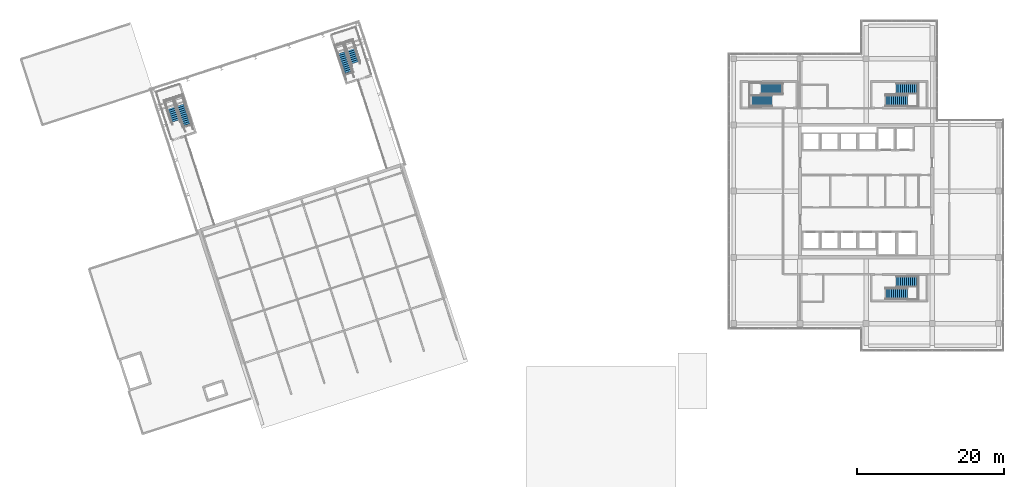
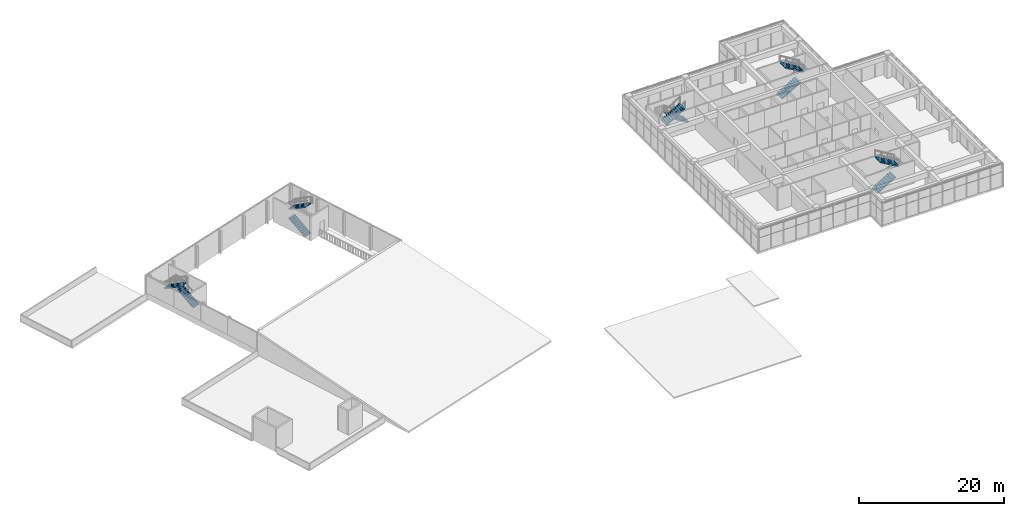
# One storey, part 52 of 55: 10 stair flights, 5 elements without a shape of their own.
"""IFC4 building model written with IfcOpenShell, lengths in metres."""

from ifc_helpers import new_model, si_unit, direction, frame, origin, place, context, subcontext, project, spatial, polyline, outline, extrude, material, type_object, element, aggregate, save


model = new_model("IFC4")

# Units and contexts
model_context = context("Model", 3, precision=1e-05, world=origin(), true_north=direction((0.0, 1.0)))
body_context = subcontext(model_context, "Body", "Model", "MODEL_VIEW")
ifc_project = project(units=[si_unit("LENGTHUNIT", "METRE"), si_unit("AREAUNIT", "SQUARE_METRE"), si_unit("VOLUMEUNIT", "CUBIC_METRE"), si_unit("PLANEANGLEUNIT", "RADIAN"), si_unit("MASSUNIT", "GRAM", prefix="KILO")], contexts=[model_context])

# Site, building, storey
site_placement = place(None, origin())
site = spatial("IfcSite", under=ifc_project, at=site_placement, CompositionType="ELEMENT")
building_placement = place(site_placement, origin())
building = spatial("IfcBuilding", under=site, at=building_placement, Name="Tuart Plaza Theatre", CompositionType="ELEMENT")
storey_placement = place(building_placement, frame((0.0, 0.0, 21.5)))
storey = spatial("IfcBuildingStorey", under=building, at=storey_placement, Name="L05", CompositionType="ELEMENT", Elevation=21.5)

# Stair, stair flights
ifc_material_1 = material(Name="Concrete N40 (40 MPa)", Category="concrete")
stair_type_1 = type_object("IfcStairType", Name="STAIR half turn 1500", PredefinedType="HALF_TURN_STAIR", material=ifc_material_1)
stair_1_placement = place(storey_placement, origin())
stair_1 = element("IfcStair", 1, at=stair_1_placement, inside=storey, type_object=stair_type_1, Name="SC-3", PredefinedType="HALF_TURN_STAIR")
ifc_material_2 = material(Name="Concrete N40 (40 MPa)", Category="concrete")
stair_flight_type_1 = type_object("IfcStairFlightType", Name="STAIR FLIGHT 166.7 275 1500", PredefinedType="STRAIGHT", material=ifc_material_2)
stair_flight_1_placement = place(storey_placement, frame((134.594970703125, 60.050048828125, 0.0), z_axis=(0.0, 0.0, 1.0), x_axis=(1.0, 0.0, 0.0)))
stair_flight_1 = element("IfcStairFlight", 2, at=stair_flight_1_placement, type_object=stair_flight_type_1, Name="SC-3 flight 1", NumberOfRisers=12, NumberOfTreads=11, PredefinedType="STRAIGHT", RiserHeight=0.166666667, TreadLength=0.275, context=body_context, shape_type="SweptSolid", body=[
    extrude(outline(polyline([(0.0, 0.0), (0.0, 0.166748046875), (0.27490234375, 0.166748046875), (0.27490234375, 0.333251953125), (0.550048828125, 0.333251953125), (0.550048828125, 0.5), (0.824951171875, 0.5), (0.824951171875, 0.666748046875), (1.10009765625, 0.666748046875), (1.10009765625, 0.833251953125), (1.375, 0.833251953125), (1.375, 1.0), (1.64990234375, 1.0), (1.64990234375, 1.166748046875), (1.925048828125, 1.166748046875), (1.925048828125, 1.333251953125), (2.199951171875, 1.333251953125), (2.199951171875, 1.5), (2.47509765625, 1.5), (2.47509765625, 1.666748046875), (2.75, 1.666748046875), (2.75, 1.833251953125), (3.02490234375, 1.833251953125), (3.02490234375, 2.0), (3.02490234375, 1.657958984375), (0.289306640625, 0.0), (0.0, 0.0)])), frame((0.0, 0.75, 0.0), z_axis=(0.0, -1.0, 0.0), x_axis=(1.0, 0.0, 0.0)), (0.0, 0.0, 1.0), 1.5),
])
stair_flight_2_placement = place(storey_placement, frame((139.1201171875, 61.699951171875, 2.0), z_axis=(0.0, 0.0, 1.0), x_axis=(-1.0, 0.0, 0.0)))
stair_flight_2 = element("IfcStairFlight", 3, at=stair_flight_2_placement, type_object=stair_flight_type_1, Name="SC-3 flight 2", NumberOfRisers=12, NumberOfTreads=11, PredefinedType="STRAIGHT", RiserHeight=0.166666667, TreadLength=0.275, context=body_context, shape_type="SweptSolid", body=[
    extrude(outline(polyline([(0.0, 0.0), (0.0, 0.166748046875), (0.27490234375, 0.166748046875), (0.27490234375, 0.333251953125), (0.550048828125, 0.333251953125), (0.550048828125, 0.5), (0.824951171875, 0.5), (0.824951171875, 0.666748046875), (1.10009765625, 0.666748046875), (1.10009765625, 0.833251953125), (1.375, 0.833251953125), (1.375, 1.0), (1.64990234375, 1.0), (1.64990234375, 1.166748046875), (1.925048828125, 1.166748046875), (1.925048828125, 1.333251953125), (2.199951171875, 1.333251953125), (2.199951171875, 1.5), (2.47509765625, 1.5), (2.47509765625, 1.666748046875), (2.75, 1.666748046875), (2.75, 1.833251953125), (3.02490234375, 1.833251953125), (3.02490234375, 2.0), (3.02490234375, 1.657958984375), (0.289306640625, 0.0), (0.0, 0.0)])), frame((0.0, 0.75, 0.0), z_axis=(0.0, -1.0, 0.0), x_axis=(1.0, 0.0, 0.0)), (0.0, 0.0, 1.0), 1.5),
])
aggregate(stair_1, [stair_flight_1, stair_flight_2])

stair_2_placement = place(storey_placement, origin())
stair_2 = element("IfcStair", 4, at=stair_2_placement, inside=storey, type_object=stair_type_1, Name="SC-9", PredefinedType="HALF_TURN_STAIR")
stair_flight_3_placement = place(storey_placement, frame((134.594970703125, 86.300048828125, 0.0), z_axis=(0.0, 0.0, 1.0), x_axis=(1.0, 0.0, 0.0)))
stair_flight_3 = element("IfcStairFlight", 5, at=stair_flight_3_placement, type_object=stair_flight_type_1, Name="SC-9 flight 1", NumberOfRisers=12, NumberOfTreads=11, PredefinedType="STRAIGHT", RiserHeight=0.166666667, TreadLength=0.275, context=body_context, shape_type="SweptSolid", body=[
    extrude(outline(polyline([(0.0, 0.0), (0.0, 0.166748046875), (0.27490234375, 0.166748046875), (0.27490234375, 0.333251953125), (0.550048828125, 0.333251953125), (0.550048828125, 0.5), (0.824951171875, 0.5), (0.824951171875, 0.666748046875), (1.10009765625, 0.666748046875), (1.10009765625, 0.833251953125), (1.375, 0.833251953125), (1.375, 1.0), (1.64990234375, 1.0), (1.64990234375, 1.166748046875), (1.925048828125, 1.166748046875), (1.925048828125, 1.333251953125), (2.199951171875, 1.333251953125), (2.199951171875, 1.5), (2.47509765625, 1.5), (2.47509765625, 1.666748046875), (2.75, 1.666748046875), (2.75, 1.833251953125), (3.02490234375, 1.833251953125), (3.02490234375, 2.0), (3.02490234375, 1.657958984375), (0.289306640625, 0.0), (0.0, 0.0)])), frame((0.0, 0.75, 0.0), z_axis=(0.0, -1.0, 0.0), x_axis=(1.0, 0.0, 0.0)), (0.0, 0.0, 1.0), 1.5),
])
stair_flight_4_placement = place(storey_placement, frame((139.1201171875, 87.949951171875, 2.0), z_axis=(0.0, 0.0, 1.0), x_axis=(-1.0, 0.0, 0.0)))
stair_flight_4 = element("IfcStairFlight", 6, at=stair_flight_4_placement, type_object=stair_flight_type_1, Name="SC-9 flight 2", NumberOfRisers=12, NumberOfTreads=11, PredefinedType="STRAIGHT", RiserHeight=0.166666667, TreadLength=0.275, context=body_context, shape_type="SweptSolid", body=[
    extrude(outline(polyline([(0.0, 0.0), (0.0, 0.166748046875), (0.27490234375, 0.166748046875), (0.27490234375, 0.333251953125), (0.550048828125, 0.333251953125), (0.550048828125, 0.5), (0.824951171875, 0.5), (0.824951171875, 0.666748046875), (1.10009765625, 0.666748046875), (1.10009765625, 0.833251953125), (1.375, 0.833251953125), (1.375, 1.0), (1.64990234375, 1.0), (1.64990234375, 1.166748046875), (1.925048828125, 1.166748046875), (1.925048828125, 1.333251953125), (2.199951171875, 1.333251953125), (2.199951171875, 1.5), (2.47509765625, 1.5), (2.47509765625, 1.666748046875), (2.75, 1.666748046875), (2.75, 1.833251953125), (3.02490234375, 1.833251953125), (3.02490234375, 2.0), (3.02490234375, 1.657958984375), (0.289306640625, 0.0), (0.0, 0.0)])), frame((0.0, 0.75, 0.0), z_axis=(0.0, -1.0, 0.0), x_axis=(1.0, 0.0, 0.0)), (0.0, 0.0, 1.0), 1.5),
])
aggregate(stair_2, [stair_flight_3, stair_flight_4])

stair_3_placement = place(storey_placement, origin())
stair_3 = element("IfcStair", 7, at=stair_3_placement, inside=storey, type_object=stair_type_1, Name="SC-15", PredefinedType="HALF_TURN_STAIR")
stair_flight_5_placement = place(storey_placement, frame((120.705078125, 87.949951171875, 0.0), z_axis=(0.0, 0.0, 1.0), x_axis=(-1.0, 0.0, 0.0)))
stair_flight_5 = element("IfcStairFlight", 8, at=stair_flight_5_placement, type_object=stair_flight_type_1, Name="SC-15 flight 1", NumberOfRisers=12, NumberOfTreads=11, PredefinedType="STRAIGHT", RiserHeight=0.166666667, TreadLength=0.275, context=body_context, shape_type="SweptSolid", body=[
    extrude(outline(polyline([(0.0, 0.0), (0.0, 0.166748046875), (0.27490234375, 0.166748046875), (0.27490234375, 0.333251953125), (0.550048828125, 0.333251953125), (0.550048828125, 0.5), (0.824951171875, 0.5), (0.824951171875, 0.666748046875), (1.10009765625, 0.666748046875), (1.10009765625, 0.833251953125), (1.375, 0.833251953125), (1.375, 1.0), (1.64990234375, 1.0), (1.64990234375, 1.166748046875), (1.925048828125, 1.166748046875), (1.925048828125, 1.333251953125), (2.199951171875, 1.333251953125), (2.199951171875, 1.5), (2.47509765625, 1.5), (2.47509765625, 1.666748046875), (2.75, 1.666748046875), (2.75, 1.833251953125), (3.02490234375, 1.833251953125), (3.02490234375, 2.0), (3.02490234375, 1.657958984375), (0.289306640625, 0.0), (0.0, 0.0)])), frame((0.0, 0.75, 0.0), z_axis=(0.0, -1.0, 0.0), x_axis=(1.0, 0.0, 0.0)), (0.0, 0.0, 1.0), 1.5),
])
stair_flight_6_placement = place(storey_placement, frame((116.179931640625, 86.300048828125, 2.0), z_axis=(0.0, 0.0, 1.0), x_axis=(1.0, 0.0, 0.0)))
stair_flight_6 = element("IfcStairFlight", 9, at=stair_flight_6_placement, type_object=stair_flight_type_1, Name="SC-15 flight 2", NumberOfRisers=12, NumberOfTreads=11, PredefinedType="STRAIGHT", RiserHeight=0.166666667, TreadLength=0.275, context=body_context, shape_type="SweptSolid", body=[
    extrude(outline(polyline([(0.0, 0.0), (0.0, 0.166748046875), (0.27490234375, 0.166748046875), (0.27490234375, 0.333251953125), (0.550048828125, 0.333251953125), (0.550048828125, 0.5), (0.824951171875, 0.5), (0.824951171875, 0.666748046875), (1.10009765625, 0.666748046875), (1.10009765625, 0.833251953125), (1.375, 0.833251953125), (1.375, 1.0), (1.64990234375, 1.0), (1.64990234375, 1.166748046875), (1.925048828125, 1.166748046875), (1.925048828125, 1.333251953125), (2.199951171875, 1.333251953125), (2.199951171875, 1.5), (2.47509765625, 1.5), (2.47509765625, 1.666748046875), (2.75, 1.666748046875), (2.75, 1.833251953125), (3.02490234375, 1.833251953125), (3.02490234375, 2.0), (3.02490234375, 1.657958984375), (0.289306640625, 0.0), (0.0, 0.0)])), frame((0.0, 0.75, 0.0), z_axis=(0.0, -1.0, 0.0), x_axis=(1.0, 0.0, 0.0)), (0.0, 0.0, 1.0), 1.5),
])
aggregate(stair_3, [stair_flight_5, stair_flight_6])

ifc_material_3 = material(Name="Concrete N40 (40 MPa)", Category="concrete")
stair_type_2 = type_object("IfcStairType", Name="STAIR half turn 1200", PredefinedType="HALF_TURN_STAIR", material=ifc_material_3)
stair_4_placement = place(storey_placement, origin())
stair_4 = element("IfcStair", 10, at=stair_4_placement, inside=storey, type_object=stair_type_2, Name="SA-4", PredefinedType="HALF_TURN_STAIR")
ifc_material_4 = material(Name="Concrete N40 (40 MPa)", Category="concrete")
stair_flight_type_2 = type_object("IfcStairFlightType", Name="STAIR FLIGHT 166.7 280 1200", PredefinedType="STRAIGHT", material=ifc_material_4)
stair_flight_7_placement = place(storey_placement, frame((39.7744140625, 82.807373046875, 0.0), z_axis=(0.0, 0.0, 1.0), x_axis=(-0.309016994375, 0.951056516295, 0.0)))
stair_flight_7 = element("IfcStairFlight", 11, at=stair_flight_7_placement, type_object=stair_flight_type_2, Name="SA-4 flight 1", NumberOfRisers=12, NumberOfTreads=11, PredefinedType="STRAIGHT", RiserHeight=0.166666667, TreadLength=0.28, context=body_context, shape_type="SweptSolid", body=[
    extrude(outline(polyline([(0.0, 0.0), (0.0, 0.166748046875), (0.280029296875, 0.166748046875), (0.280029296875, 0.333251953125), (0.56005859375, 0.333251953125), (0.56005859375, 0.5), (0.840087890625, 0.5), (0.840087890625, 0.666748046875), (1.1201171875, 0.666748046875), (1.1201171875, 0.833251953125), (1.39990234375, 0.833251953125), (1.39990234375, 1.0), (1.679931640625, 1.0), (1.679931640625, 1.166748046875), (1.9599609375, 1.166748046875), (1.9599609375, 1.333251953125), (2.239990234375, 1.333251953125), (2.239990234375, 1.5), (2.52001953125, 1.5), (2.52001953125, 1.666748046875), (2.800048828125, 1.666748046875), (2.800048828125, 1.833251953125), (3.080078125, 1.833251953125), (3.080078125, 2.0), (3.080078125, 1.658935546875), (0.29296875, 0.0), (0.0, 0.0)])), frame((0.0, 0.60009765625, 0.0), z_axis=(0.0, -1.0, 0.0), x_axis=(1.0, 0.0, 0.0)), (0.0, 0.0, 1.0), 1.199951171875),
])
stair_flight_8_placement = place(storey_placement, frame((37.167724609375, 86.460693359375, 2.0), z_axis=(0.0, 0.0, 1.0), x_axis=(0.309016994375, -0.951056516295, 0.0)))
stair_flight_8 = element("IfcStairFlight", 12, at=stair_flight_8_placement, type_object=stair_flight_type_2, Name="SA-4 flight 2", NumberOfRisers=12, NumberOfTreads=11, PredefinedType="STRAIGHT", RiserHeight=0.166666667, TreadLength=0.28, context=body_context, shape_type="SweptSolid", body=[
    extrude(outline(polyline([(0.0, 0.0), (0.0, 0.166748046875), (0.280029296875, 0.166748046875), (0.280029296875, 0.333251953125), (0.56005859375, 0.333251953125), (0.56005859375, 0.5), (0.840087890625, 0.5), (0.840087890625, 0.666748046875), (1.1201171875, 0.666748046875), (1.1201171875, 0.833251953125), (1.39990234375, 0.833251953125), (1.39990234375, 1.0), (1.679931640625, 1.0), (1.679931640625, 1.166748046875), (1.9599609375, 1.166748046875), (1.9599609375, 1.333251953125), (2.239990234375, 1.333251953125), (2.239990234375, 1.5), (2.52001953125, 1.5), (2.52001953125, 1.666748046875), (2.800048828125, 1.666748046875), (2.800048828125, 1.833251953125), (3.080078125, 1.833251953125), (3.080078125, 2.0), (3.080078125, 1.658935546875), (0.29296875, 0.0), (0.0, 0.0)])), frame((0.0, 0.60009765625, 0.0), z_axis=(0.0, -1.0, 0.0), x_axis=(1.0, 0.0, 0.0)), (0.0, 0.0, 1.0), 1.199951171875),
])
aggregate(stair_4, [stair_flight_7, stair_flight_8])

stair_5_placement = place(storey_placement, origin())
stair_5 = element("IfcStair", 13, at=stair_5_placement, inside=storey, type_object=stair_type_2, Name="SA-5", PredefinedType="HALF_TURN_STAIR")
stair_flight_9_placement = place(storey_placement, frame((61.6533203125, 89.916259765625, 0.0), z_axis=(0.0, 0.0, 1.0), x_axis=(-0.309016994375, 0.951056516295, 0.0)))
stair_flight_9 = element("IfcStairFlight", 14, at=stair_flight_9_placement, type_object=stair_flight_type_2, Name="SA-5 flight 1", NumberOfRisers=12, NumberOfTreads=11, PredefinedType="STRAIGHT", RiserHeight=0.166666667, TreadLength=0.28, context=body_context, shape_type="SweptSolid", body=[
    extrude(outline(polyline([(0.0, 0.0), (0.0, 0.166748046875), (0.280029296875, 0.166748046875), (0.280029296875, 0.333251953125), (0.56005859375, 0.333251953125), (0.56005859375, 0.5), (0.840087890625, 0.5), (0.840087890625, 0.666748046875), (1.1201171875, 0.666748046875), (1.1201171875, 0.833251953125), (1.39990234375, 0.833251953125), (1.39990234375, 1.0), (1.679931640625, 1.0), (1.679931640625, 1.166748046875), (1.9599609375, 1.166748046875), (1.9599609375, 1.333251953125), (2.239990234375, 1.333251953125), (2.239990234375, 1.5), (2.52001953125, 1.5), (2.52001953125, 1.666748046875), (2.800048828125, 1.666748046875), (2.800048828125, 1.833251953125), (3.080078125, 1.833251953125), (3.080078125, 2.0), (3.080078125, 1.658935546875), (0.29296875, 0.0), (0.0, 0.0)])), frame((0.0, 0.60009765625, 0.0), z_axis=(0.0, -1.0, 0.0), x_axis=(1.0, 0.0, 0.0)), (0.0, 0.0, 1.0), 1.199951171875),
])
stair_flight_10_placement = place(storey_placement, frame((61.61474609375, 94.404052734375, 2.0), z_axis=(0.0, 0.0, 1.0), x_axis=(0.309016994375, -0.951056516295, 0.0)))
stair_flight_10 = element("IfcStairFlight", 15, at=stair_flight_10_placement, type_object=stair_flight_type_2, Name="SA-5 flight 2", NumberOfRisers=12, NumberOfTreads=11, PredefinedType="STRAIGHT", RiserHeight=0.166666667, TreadLength=0.28, context=body_context, shape_type="SweptSolid", body=[
    extrude(outline(polyline([(0.0, 0.0), (0.0, 0.166748046875), (0.280029296875, 0.166748046875), (0.280029296875, 0.333251953125), (0.56005859375, 0.333251953125), (0.56005859375, 0.5), (0.840087890625, 0.5), (0.840087890625, 0.666748046875), (1.1201171875, 0.666748046875), (1.1201171875, 0.833251953125), (1.39990234375, 0.833251953125), (1.39990234375, 1.0), (1.679931640625, 1.0), (1.679931640625, 1.166748046875), (1.9599609375, 1.166748046875), (1.9599609375, 1.333251953125), (2.239990234375, 1.333251953125), (2.239990234375, 1.5), (2.52001953125, 1.5), (2.52001953125, 1.666748046875), (2.800048828125, 1.666748046875), (2.800048828125, 1.833251953125), (3.080078125, 1.833251953125), (3.080078125, 2.0), (3.080078125, 1.658935546875), (0.29296875, 0.0), (0.0, 0.0)])), frame((0.0, 0.60009765625, 0.0), z_axis=(0.0, -1.0, 0.0), x_axis=(1.0, 0.0, 0.0)), (0.0, 0.0, 1.0), 1.199951171875),
])
aggregate(stair_5, [stair_flight_9, stair_flight_10])

save(model, "model.ifc")
